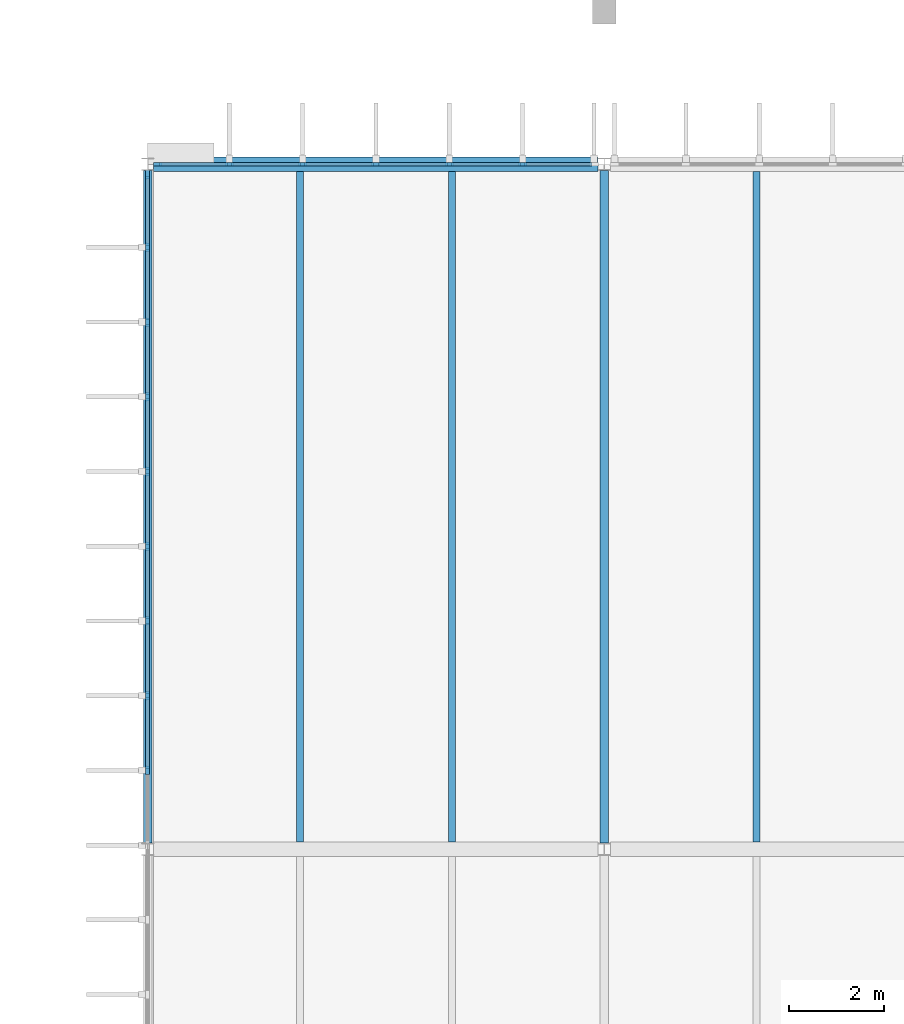
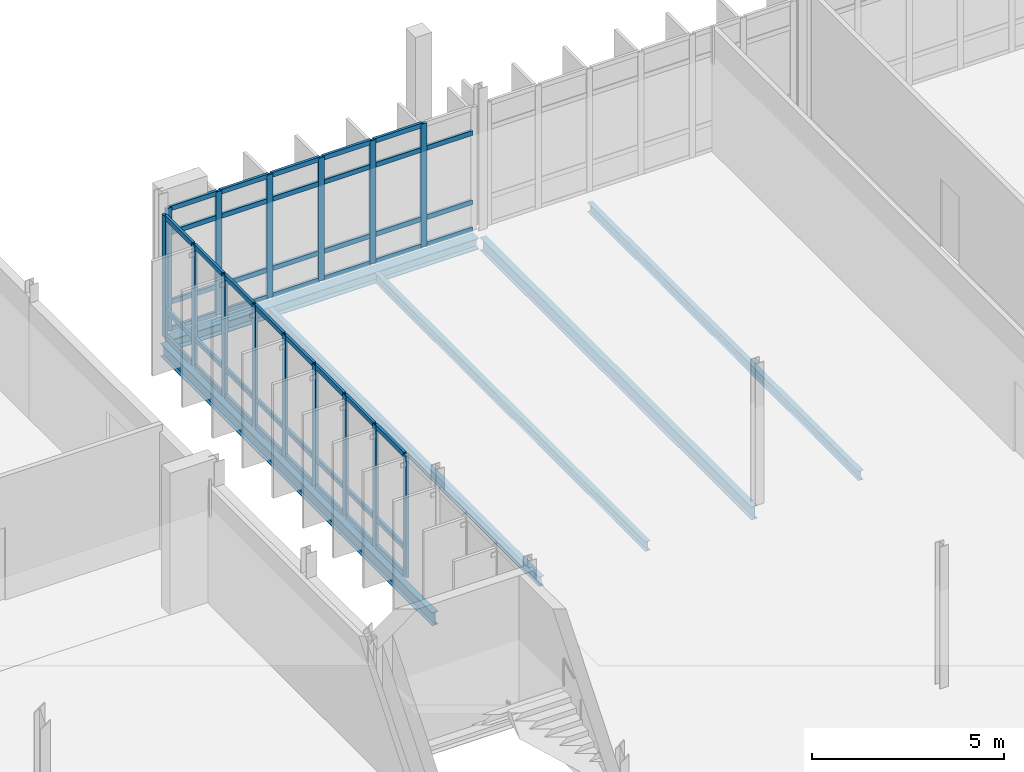
# One storey, part 43 of 107: 62 members, 6 beams, 2 elements without a shape of their own.
"""IFC4 building model written with IfcOpenShell, lengths in metres."""

from ifc_helpers import new_model, si_unit, direction, frame, origin, origin_2d, place, context, subcontext, project, spatial, rectangle, i_section, extrude, material, material_profile, profile_set, type_object, element, aggregate, save


model = new_model("IFC4")

# Units and contexts
model_context = context("Model", 3, precision=1e-05, world=origin(), true_north=direction((0.0, 1.0)))
body_context = subcontext(model_context, "Body", "Model", "MODEL_VIEW")
ifc_project = project(units=[si_unit("LENGTHUNIT", "METRE"), si_unit("AREAUNIT", "SQUARE_METRE"), si_unit("VOLUMEUNIT", "CUBIC_METRE"), si_unit("PLANEANGLEUNIT", "RADIAN"), si_unit("MASSUNIT", "GRAM", prefix="KILO")], contexts=[model_context])

# Site, building, storey
site_placement = place(None, origin())
site = spatial("IfcSite", under=ifc_project, at=site_placement, CompositionType="ELEMENT")
building_placement = place(site_placement, origin())
building = spatial("IfcBuilding", under=site, at=building_placement, Name="Dunescarp Central Library", CompositionType="ELEMENT")
storey_placement = place(building_placement, frame((0.0, 0.0, 5.10009765625)))
storey = spatial("IfcBuildingStorey", under=building, at=storey_placement, Name="L01", CompositionType="ELEMENT", Elevation=5.10009765625)

# Curtain wall, members
ifc_material_1 = material(Name="Marine-grade anodised aluminium 6063-T6", Category="aluminium")
curtain_wall_type = type_object("IfcCurtainWallType", Name="ARC-CW-STICK", PredefinedType="NOTDEFINED", material=ifc_material_1)
curtain_wall_1_placement = place(storey_placement, origin())
curtain_wall_1 = element("IfcCurtainWall", 1, at=curtain_wall_1_placement, inside=storey, type_object=curtain_wall_type, Name="L01 curtain wall CW-V5-157", PredefinedType="NOTDEFINED")
ifc_material_profile_1 = material_profile(ifc_material_1, rectangle(XDim=0.080078125, YDim=0.179931640625, at=origin_2d()), Name="AL 80x180")
ifc_profile_set_1 = profile_set([ifc_material_profile_1], Name="Marine-grade anodised aluminium 6063-T6")
member_type_1 = type_object("IfcMemberType", Name="ARC-CWM-180", PredefinedType="MULLION", material=ifc_profile_set_1)
member_1_placement = place(storey_placement, frame((129.81494140625, 44.800048828125, 0.0), z_axis=(0.0, 0.0, 1.0), x_axis=(0.0, 1.0, 0.0)))
member_1 = element("IfcMember", 2, at=member_1_placement, type_object=member_type_1, Name="CW-V5-157 mullion 1", PredefinedType="MULLION", context=body_context, shape_type="SweptSolid", body=[
    extrude(rectangle(XDim=0.080078125, YDim=0.179931640625, at=origin_2d()), origin(), (0.0, 0.0, 1.0), 3.909912109375),
])
member_2_placement = place(storey_placement, frame((131.316650390625, 44.800048828125, 0.0), z_axis=(0.0, 0.0, 1.0), x_axis=(0.0, 1.0, 0.0)))
member_2 = element("IfcMember", 3, at=member_2_placement, type_object=member_type_1, Name="CW-V5-157 mullion 2", PredefinedType="MULLION", context=body_context, shape_type="SweptSolid", body=[
    extrude(rectangle(XDim=0.080078125, YDim=0.179931640625, at=origin_2d()), origin(), (0.0, 0.0, 1.0), 3.909912109375),
])
member_3_placement = place(storey_placement, frame((132.8583984375, 44.800048828125, 0.0), z_axis=(0.0, 0.0, 1.0), x_axis=(0.0, 1.0, 0.0)))
member_3 = element("IfcMember", 4, at=member_3_placement, type_object=member_type_1, Name="CW-V5-157 mullion 3", PredefinedType="MULLION", context=body_context, shape_type="SweptSolid", body=[
    extrude(rectangle(XDim=0.080078125, YDim=0.179931640625, at=origin_2d()), origin(), (0.0, 0.0, 1.0), 3.909912109375),
])
member_4_placement = place(storey_placement, frame((134.39990234375, 44.800048828125, 0.0), z_axis=(0.0, 0.0, 1.0), x_axis=(0.0, 1.0, 0.0)))
member_4 = element("IfcMember", 5, at=member_4_placement, type_object=member_type_1, Name="CW-V5-157 mullion 4", PredefinedType="MULLION", context=body_context, shape_type="SweptSolid", body=[
    extrude(rectangle(XDim=0.080078125, YDim=0.179931640625, at=origin_2d()), origin(), (0.0, 0.0, 1.0), 3.909912109375),
])
member_5_placement = place(storey_placement, frame((135.941650390625, 44.800048828125, 0.0), z_axis=(0.0, 0.0, 1.0), x_axis=(0.0, 1.0, 0.0)))
member_5 = element("IfcMember", 6, at=member_5_placement, type_object=member_type_1, Name="CW-V5-157 mullion 5", PredefinedType="MULLION", context=body_context, shape_type="SweptSolid", body=[
    extrude(rectangle(XDim=0.080078125, YDim=0.179931640625, at=origin_2d()), origin(), (0.0, 0.0, 1.0), 3.909912109375),
])
member_6_placement = place(storey_placement, frame((137.4833984375, 44.800048828125, 0.0), z_axis=(0.0, 0.0, 1.0), x_axis=(0.0, 1.0, 0.0)))
member_6 = element("IfcMember", 7, at=member_6_placement, type_object=member_type_1, Name="CW-V5-157 mullion 6", PredefinedType="MULLION", context=body_context, shape_type="SweptSolid", body=[
    extrude(rectangle(XDim=0.080078125, YDim=0.179931640625, at=origin_2d()), origin(), (0.0, 0.0, 1.0), 3.909912109375),
])

curtain_wall_2_placement = place(storey_placement, origin())
curtain_wall_2 = element("IfcCurtainWall", 8, at=curtain_wall_2_placement, inside=storey, type_object=curtain_wall_type, Name="L01 curtain wall CW-V5-161", PredefinedType="NOTDEFINED")
member_7_placement = place(storey_placement, frame((129.60009765625, 32.058349609375, 0.0), z_axis=(0.0, 0.0, 1.0), x_axis=(-1.0, 0.0, 0.0)))
member_7 = element("IfcMember", 9, at=member_7_placement, type_object=member_type_1, Name="CW-V5-161 mullion 5", PredefinedType="MULLION", context=body_context, shape_type="SweptSolid", body=[
    extrude(rectangle(XDim=0.080078125, YDim=0.179931640625, at=origin_2d()), origin(), (0.0, 0.0, 1.0), 3.875),
])
member_8_placement = place(storey_placement, frame((129.60009765625, 33.629150390625, 0.0), z_axis=(0.0, 0.0, 1.0), x_axis=(-1.0, 0.0, 0.0)))
member_8 = element("IfcMember", 10, at=member_8_placement, type_object=member_type_1, Name="CW-V5-161 mullion 6", PredefinedType="MULLION", context=body_context, shape_type="SweptSolid", body=[
    extrude(rectangle(XDim=0.080078125, YDim=0.179931640625, at=origin_2d()), origin(), (0.0, 0.0, 1.0), 3.875),
])
member_9_placement = place(storey_placement, frame((129.60009765625, 35.199951171875, 0.0), z_axis=(0.0, 0.0, 1.0), x_axis=(-1.0, 0.0, 0.0)))
member_9 = element("IfcMember", 11, at=member_9_placement, type_object=member_type_1, Name="CW-V5-161 mullion 7", PredefinedType="MULLION", context=body_context, shape_type="SweptSolid", body=[
    extrude(rectangle(XDim=0.080078125, YDim=0.179931640625, at=origin_2d()), origin(), (0.0, 0.0, 1.0), 3.875),
])
member_10_placement = place(storey_placement, frame((129.60009765625, 36.770751953125, 0.0), z_axis=(0.0, 0.0, 1.0), x_axis=(-1.0, 0.0, 0.0)))
member_10 = element("IfcMember", 12, at=member_10_placement, type_object=member_type_1, Name="CW-V5-161 mullion 8", PredefinedType="MULLION", context=body_context, shape_type="SweptSolid", body=[
    extrude(rectangle(XDim=0.080078125, YDim=0.179931640625, at=origin_2d()), origin(), (0.0, 0.0, 1.0), 3.875),
])
member_11_placement = place(storey_placement, frame((129.60009765625, 38.341552734375, 0.0), z_axis=(0.0, 0.0, 1.0), x_axis=(-1.0, 0.0, 0.0)))
member_11 = element("IfcMember", 13, at=member_11_placement, type_object=member_type_1, Name="CW-V5-161 mullion 9", PredefinedType="MULLION", context=body_context, shape_type="SweptSolid", body=[
    extrude(rectangle(XDim=0.080078125, YDim=0.179931640625, at=origin_2d()), origin(), (0.0, 0.0, 1.0), 3.875),
])
member_12_placement = place(storey_placement, frame((129.60009765625, 39.91259765625, 0.0), z_axis=(0.0, 0.0, 1.0), x_axis=(-1.0, 0.0, 0.0)))
member_12 = element("IfcMember", 14, at=member_12_placement, type_object=member_type_1, Name="CW-V5-161 mullion 10", PredefinedType="MULLION", context=body_context, shape_type="SweptSolid", body=[
    extrude(rectangle(XDim=0.080078125, YDim=0.179931640625, at=origin_2d()), origin(), (0.0, 0.0, 1.0), 3.875),
])
member_13_placement = place(storey_placement, frame((129.60009765625, 41.4833984375, 0.0), z_axis=(0.0, 0.0, 1.0), x_axis=(-1.0, 0.0, 0.0)))
member_13 = element("IfcMember", 15, at=member_13_placement, type_object=member_type_1, Name="CW-V5-161 mullion 11", PredefinedType="MULLION", context=body_context, shape_type="SweptSolid", body=[
    extrude(rectangle(XDim=0.080078125, YDim=0.179931640625, at=origin_2d()), origin(), (0.0, 0.0, 1.0), 3.875),
])
member_14_placement = place(storey_placement, frame((129.60009765625, 43.05419921875, 0.0), z_axis=(0.0, 0.0, 1.0), x_axis=(-1.0, 0.0, 0.0)))
member_14 = element("IfcMember", 16, at=member_14_placement, type_object=member_type_1, Name="CW-V5-161 mullion 12", PredefinedType="MULLION", context=body_context, shape_type="SweptSolid", body=[
    extrude(rectangle(XDim=0.080078125, YDim=0.179931640625, at=origin_2d()), origin(), (0.0, 0.0, 1.0), 3.875),
])
member_15_placement = place(storey_placement, frame((129.60009765625, 44.5849609375, 0.0), z_axis=(0.0, 0.0, 1.0), x_axis=(-1.0, 0.0, 0.0)))
member_15 = element("IfcMember", 17, at=member_15_placement, type_object=member_type_1, Name="CW-V5-161 mullion 13", PredefinedType="MULLION", context=body_context, shape_type="SweptSolid", body=[
    extrude(rectangle(XDim=0.080078125, YDim=0.179931640625, at=origin_2d()), origin(), (0.0, 0.0, 1.0), 3.875),
])

# Member
ifc_material_profile_2 = material_profile(ifc_material_1, rectangle(XDim=0.080078125, YDim=0.14990234375, at=origin_2d()), Name="AL 80x150")
ifc_profile_set_2 = profile_set([ifc_material_profile_2], Name="Marine-grade anodised aluminium 6063-T6")
member_type_2 = type_object("IfcMemberType", Name="ARC-CWT-150", PredefinedType="USERDEFINED", material=ifc_profile_set_2)
member_16_placement = place(storey_placement, frame((129.85498046875, 44.800048828125, 0.039794921875), z_axis=(1.0, 0.0, 0.0), x_axis=(0.0, 1.0, 0.0)))
member_16 = element("IfcMember", 18, at=member_16_placement, type_object=member_type_2, Name="CW-V5-157 transom 1.1", ObjectType="TRANSOM", PredefinedType="USERDEFINED", context=body_context, shape_type="SweptSolid", body=[
    extrude(rectangle(XDim=0.080078125, YDim=0.14990234375, at=origin_2d()), origin(), (0.0, 0.0, 1.0), 1.421630859375),
])

member_17_placement = place(storey_placement, frame((129.85498046875, 44.800048828125, 0.89990234375), z_axis=(1.0, 0.0, 0.0), x_axis=(0.0, 1.0, 0.0)))
member_17 = element("IfcMember", 19, at=member_17_placement, type_object=member_type_2, Name="CW-V5-157 transom 1.2", ObjectType="TRANSOM", PredefinedType="USERDEFINED", context=body_context, shape_type="SweptSolid", body=[
    extrude(rectangle(XDim=0.080078125, YDim=0.14990234375, at=origin_2d()), origin(), (0.0, 0.0, 1.0), 1.421630859375),
])

member_18_placement = place(storey_placement, frame((129.85498046875, 44.800048828125, 3.099853515625), z_axis=(1.0, 0.0, 0.0), x_axis=(0.0, 1.0, 0.0)))
member_18 = element("IfcMember", 20, at=member_18_placement, type_object=member_type_2, Name="CW-V5-157 transom 1.3", ObjectType="TRANSOM", PredefinedType="USERDEFINED", context=body_context, shape_type="SweptSolid", body=[
    extrude(rectangle(XDim=0.080078125, YDim=0.14990234375, at=origin_2d()), origin(), (0.0, 0.0, 1.0), 1.421630859375),
])

member_19_placement = place(storey_placement, frame((129.85498046875, 44.800048828125, 3.869873046875), z_axis=(1.0, 0.0, 0.0), x_axis=(0.0, 1.0, 0.0)))
member_19 = element("IfcMember", 21, at=member_19_placement, type_object=member_type_2, Name="CW-V5-157 transom 1.4", ObjectType="TRANSOM", PredefinedType="USERDEFINED", context=body_context, shape_type="SweptSolid", body=[
    extrude(rectangle(XDim=0.080078125, YDim=0.14990234375, at=origin_2d()), origin(), (0.0, 0.0, 1.0), 1.421630859375),
])

member_20_placement = place(storey_placement, frame((131.356689453125, 44.800048828125, 0.039794921875), z_axis=(1.0, 0.0, 0.0), x_axis=(0.0, 1.0, 0.0)))
member_20 = element("IfcMember", 22, at=member_20_placement, type_object=member_type_2, Name="CW-V5-157 transom 2.1", ObjectType="TRANSOM", PredefinedType="USERDEFINED", context=body_context, shape_type="SweptSolid", body=[
    extrude(rectangle(XDim=0.080078125, YDim=0.14990234375, at=origin_2d()), origin(), (0.0, 0.0, 1.0), 1.461669921875),
])

member_21_placement = place(storey_placement, frame((131.356689453125, 44.800048828125, 0.89990234375), z_axis=(1.0, 0.0, 0.0), x_axis=(0.0, 1.0, 0.0)))
member_21 = element("IfcMember", 23, at=member_21_placement, type_object=member_type_2, Name="CW-V5-157 transom 2.2", ObjectType="TRANSOM", PredefinedType="USERDEFINED", context=body_context, shape_type="SweptSolid", body=[
    extrude(rectangle(XDim=0.080078125, YDim=0.14990234375, at=origin_2d()), origin(), (0.0, 0.0, 1.0), 1.461669921875),
])

member_22_placement = place(storey_placement, frame((131.356689453125, 44.800048828125, 3.099853515625), z_axis=(1.0, 0.0, 0.0), x_axis=(0.0, 1.0, 0.0)))
member_22 = element("IfcMember", 24, at=member_22_placement, type_object=member_type_2, Name="CW-V5-157 transom 2.3", ObjectType="TRANSOM", PredefinedType="USERDEFINED", context=body_context, shape_type="SweptSolid", body=[
    extrude(rectangle(XDim=0.080078125, YDim=0.14990234375, at=origin_2d()), origin(), (0.0, 0.0, 1.0), 1.461669921875),
])

member_23_placement = place(storey_placement, frame((131.356689453125, 44.800048828125, 3.869873046875), z_axis=(1.0, 0.0, 0.0), x_axis=(0.0, 1.0, 0.0)))
member_23 = element("IfcMember", 25, at=member_23_placement, type_object=member_type_2, Name="CW-V5-157 transom 2.4", ObjectType="TRANSOM", PredefinedType="USERDEFINED", context=body_context, shape_type="SweptSolid", body=[
    extrude(rectangle(XDim=0.080078125, YDim=0.14990234375, at=origin_2d()), origin(), (0.0, 0.0, 1.0), 1.461669921875),
])

member_24_placement = place(storey_placement, frame((132.8984375, 44.800048828125, 0.039794921875), z_axis=(1.0, 0.0, 0.0), x_axis=(0.0, 1.0, 0.0)))
member_24 = element("IfcMember", 26, at=member_24_placement, type_object=member_type_2, Name="CW-V5-157 transom 3.1", ObjectType="TRANSOM", PredefinedType="USERDEFINED", context=body_context, shape_type="SweptSolid", body=[
    extrude(rectangle(XDim=0.080078125, YDim=0.14990234375, at=origin_2d()), origin(), (0.0, 0.0, 1.0), 1.461669921875),
])

member_25_placement = place(storey_placement, frame((132.8984375, 44.800048828125, 0.89990234375), z_axis=(1.0, 0.0, 0.0), x_axis=(0.0, 1.0, 0.0)))
member_25 = element("IfcMember", 27, at=member_25_placement, type_object=member_type_2, Name="CW-V5-157 transom 3.2", ObjectType="TRANSOM", PredefinedType="USERDEFINED", context=body_context, shape_type="SweptSolid", body=[
    extrude(rectangle(XDim=0.080078125, YDim=0.14990234375, at=origin_2d()), origin(), (0.0, 0.0, 1.0), 1.461669921875),
])

member_26_placement = place(storey_placement, frame((132.8984375, 44.800048828125, 3.099853515625), z_axis=(1.0, 0.0, 0.0), x_axis=(0.0, 1.0, 0.0)))
member_26 = element("IfcMember", 28, at=member_26_placement, type_object=member_type_2, Name="CW-V5-157 transom 3.3", ObjectType="TRANSOM", PredefinedType="USERDEFINED", context=body_context, shape_type="SweptSolid", body=[
    extrude(rectangle(XDim=0.080078125, YDim=0.14990234375, at=origin_2d()), origin(), (0.0, 0.0, 1.0), 1.461669921875),
])

member_27_placement = place(storey_placement, frame((132.8984375, 44.800048828125, 3.869873046875), z_axis=(1.0, 0.0, 0.0), x_axis=(0.0, 1.0, 0.0)))
member_27 = element("IfcMember", 29, at=member_27_placement, type_object=member_type_2, Name="CW-V5-157 transom 3.4", ObjectType="TRANSOM", PredefinedType="USERDEFINED", context=body_context, shape_type="SweptSolid", body=[
    extrude(rectangle(XDim=0.080078125, YDim=0.14990234375, at=origin_2d()), origin(), (0.0, 0.0, 1.0), 1.461669921875),
])

member_28_placement = place(storey_placement, frame((134.43994140625, 44.800048828125, 0.039794921875), z_axis=(1.0, 0.0, 0.0), x_axis=(0.0, 1.0, 0.0)))
member_28 = element("IfcMember", 30, at=member_28_placement, type_object=member_type_2, Name="CW-V5-157 transom 4.1", ObjectType="TRANSOM", PredefinedType="USERDEFINED", context=body_context, shape_type="SweptSolid", body=[
    extrude(rectangle(XDim=0.080078125, YDim=0.14990234375, at=origin_2d()), origin(), (0.0, 0.0, 1.0), 1.461669921875),
])

member_29_placement = place(storey_placement, frame((134.43994140625, 44.800048828125, 0.89990234375), z_axis=(1.0, 0.0, 0.0), x_axis=(0.0, 1.0, 0.0)))
member_29 = element("IfcMember", 31, at=member_29_placement, type_object=member_type_2, Name="CW-V5-157 transom 4.2", ObjectType="TRANSOM", PredefinedType="USERDEFINED", context=body_context, shape_type="SweptSolid", body=[
    extrude(rectangle(XDim=0.080078125, YDim=0.14990234375, at=origin_2d()), origin(), (0.0, 0.0, 1.0), 1.461669921875),
])

member_30_placement = place(storey_placement, frame((134.43994140625, 44.800048828125, 3.099853515625), z_axis=(1.0, 0.0, 0.0), x_axis=(0.0, 1.0, 0.0)))
member_30 = element("IfcMember", 32, at=member_30_placement, type_object=member_type_2, Name="CW-V5-157 transom 4.3", ObjectType="TRANSOM", PredefinedType="USERDEFINED", context=body_context, shape_type="SweptSolid", body=[
    extrude(rectangle(XDim=0.080078125, YDim=0.14990234375, at=origin_2d()), origin(), (0.0, 0.0, 1.0), 1.461669921875),
])

member_31_placement = place(storey_placement, frame((134.43994140625, 44.800048828125, 3.869873046875), z_axis=(1.0, 0.0, 0.0), x_axis=(0.0, 1.0, 0.0)))
member_31 = element("IfcMember", 33, at=member_31_placement, type_object=member_type_2, Name="CW-V5-157 transom 4.4", ObjectType="TRANSOM", PredefinedType="USERDEFINED", context=body_context, shape_type="SweptSolid", body=[
    extrude(rectangle(XDim=0.080078125, YDim=0.14990234375, at=origin_2d()), origin(), (0.0, 0.0, 1.0), 1.461669921875),
])

member_32_placement = place(storey_placement, frame((135.981689453125, 44.800048828125, 0.039794921875), z_axis=(1.0, 0.0, 0.0), x_axis=(0.0, 1.0, 0.0)))
member_32 = element("IfcMember", 34, at=member_32_placement, type_object=member_type_2, Name="CW-V5-157 transom 5.1", ObjectType="TRANSOM", PredefinedType="USERDEFINED", context=body_context, shape_type="SweptSolid", body=[
    extrude(rectangle(XDim=0.080078125, YDim=0.14990234375, at=origin_2d()), origin(), (0.0, 0.0, 1.0), 1.461669921875),
])

member_33_placement = place(storey_placement, frame((135.981689453125, 44.800048828125, 0.89990234375), z_axis=(1.0, 0.0, 0.0), x_axis=(0.0, 1.0, 0.0)))
member_33 = element("IfcMember", 35, at=member_33_placement, type_object=member_type_2, Name="CW-V5-157 transom 5.2", ObjectType="TRANSOM", PredefinedType="USERDEFINED", context=body_context, shape_type="SweptSolid", body=[
    extrude(rectangle(XDim=0.080078125, YDim=0.14990234375, at=origin_2d()), origin(), (0.0, 0.0, 1.0), 1.461669921875),
])

member_34_placement = place(storey_placement, frame((135.981689453125, 44.800048828125, 3.099853515625), z_axis=(1.0, 0.0, 0.0), x_axis=(0.0, 1.0, 0.0)))
member_34 = element("IfcMember", 36, at=member_34_placement, type_object=member_type_2, Name="CW-V5-157 transom 5.3", ObjectType="TRANSOM", PredefinedType="USERDEFINED", context=body_context, shape_type="SweptSolid", body=[
    extrude(rectangle(XDim=0.080078125, YDim=0.14990234375, at=origin_2d()), origin(), (0.0, 0.0, 1.0), 1.461669921875),
])

member_35_placement = place(storey_placement, frame((135.981689453125, 44.800048828125, 3.869873046875), z_axis=(1.0, 0.0, 0.0), x_axis=(0.0, 1.0, 0.0)))
member_35 = element("IfcMember", 37, at=member_35_placement, type_object=member_type_2, Name="CW-V5-157 transom 5.4", ObjectType="TRANSOM", PredefinedType="USERDEFINED", context=body_context, shape_type="SweptSolid", body=[
    extrude(rectangle(XDim=0.080078125, YDim=0.14990234375, at=origin_2d()), origin(), (0.0, 0.0, 1.0), 1.461669921875),
])

member_36_placement = place(storey_placement, frame((137.5234375, 44.800048828125, 0.039794921875), z_axis=(1.0, 0.0, 0.0), x_axis=(0.0, 1.0, 0.0)))
member_36 = element("IfcMember", 38, at=member_36_placement, type_object=member_type_2, Name="CW-V5-157 transom 6.1", ObjectType="TRANSOM", PredefinedType="USERDEFINED", context=body_context, shape_type="SweptSolid", body=[
    extrude(rectangle(XDim=0.080078125, YDim=0.14990234375, at=origin_2d()), origin(), (0.0, 0.0, 1.0), 1.421630859375),
])

member_37_placement = place(storey_placement, frame((137.5234375, 44.800048828125, 0.89990234375), z_axis=(1.0, 0.0, 0.0), x_axis=(0.0, 1.0, 0.0)))
member_37 = element("IfcMember", 39, at=member_37_placement, type_object=member_type_2, Name="CW-V5-157 transom 6.2", ObjectType="TRANSOM", PredefinedType="USERDEFINED", context=body_context, shape_type="SweptSolid", body=[
    extrude(rectangle(XDim=0.080078125, YDim=0.14990234375, at=origin_2d()), origin(), (0.0, 0.0, 1.0), 1.421630859375),
])

member_38_placement = place(storey_placement, frame((137.5234375, 44.800048828125, 3.099853515625), z_axis=(1.0, 0.0, 0.0), x_axis=(0.0, 1.0, 0.0)))
member_38 = element("IfcMember", 40, at=member_38_placement, type_object=member_type_2, Name="CW-V5-157 transom 6.3", ObjectType="TRANSOM", PredefinedType="USERDEFINED", context=body_context, shape_type="SweptSolid", body=[
    extrude(rectangle(XDim=0.080078125, YDim=0.14990234375, at=origin_2d()), origin(), (0.0, 0.0, 1.0), 1.421630859375),
])

aggregate(curtain_wall_1, [member_1, member_2, member_3, member_4, member_5, member_6, member_16, member_17, member_18, member_19, member_20, member_21, member_22, member_23, member_24, member_25, member_26, member_27, member_28, member_29, member_30, member_31, member_32, member_33, member_34, member_35, member_36, member_37, member_38])

member_39_placement = place(storey_placement, frame((129.60009765625, 32.098388671875, 0.039794921875), z_axis=(0.0, 1.0, 0.0), x_axis=(-1.0, 0.0, 0.0)))
member_39 = element("IfcMember", 41, at=member_39_placement, type_object=member_type_2, Name="CW-V5-161 transom 5.1", ObjectType="TRANSOM", PredefinedType="USERDEFINED", context=body_context, shape_type="SweptSolid", body=[
    extrude(rectangle(XDim=0.080078125, YDim=0.14990234375, at=origin_2d()), origin(), (0.0, 0.0, 1.0), 1.49072265625),
])

member_40_placement = place(storey_placement, frame((129.60009765625, 32.098388671875, 0.89990234375), z_axis=(0.0, 1.0, 0.0), x_axis=(-1.0, 0.0, 0.0)))
member_40 = element("IfcMember", 42, at=member_40_placement, type_object=member_type_2, Name="CW-V5-161 transom 5.2", ObjectType="TRANSOM", PredefinedType="USERDEFINED", context=body_context, shape_type="SweptSolid", body=[
    extrude(rectangle(XDim=0.080078125, YDim=0.14990234375, at=origin_2d()), origin(), (0.0, 0.0, 1.0), 1.49072265625),
])

member_41_placement = place(storey_placement, frame((129.60009765625, 32.098388671875, 3.8349609375), z_axis=(0.0, 1.0, 0.0), x_axis=(-1.0, 0.0, 0.0)))
member_41 = element("IfcMember", 43, at=member_41_placement, type_object=member_type_2, Name="CW-V5-161 transom 5.3", ObjectType="TRANSOM", PredefinedType="USERDEFINED", context=body_context, shape_type="SweptSolid", body=[
    extrude(rectangle(XDim=0.080078125, YDim=0.14990234375, at=origin_2d()), origin(), (0.0, 0.0, 1.0), 1.49072265625),
])

member_42_placement = place(storey_placement, frame((129.60009765625, 33.669189453125, 0.039794921875), z_axis=(0.0, 1.0, 0.0), x_axis=(-1.0, 0.0, 0.0)))
member_42 = element("IfcMember", 44, at=member_42_placement, type_object=member_type_2, Name="CW-V5-161 transom 6.1", ObjectType="TRANSOM", PredefinedType="USERDEFINED", context=body_context, shape_type="SweptSolid", body=[
    extrude(rectangle(XDim=0.080078125, YDim=0.14990234375, at=origin_2d()), origin(), (0.0, 0.0, 1.0), 1.49072265625),
])

member_43_placement = place(storey_placement, frame((129.60009765625, 33.669189453125, 0.89990234375), z_axis=(0.0, 1.0, 0.0), x_axis=(-1.0, 0.0, 0.0)))
member_43 = element("IfcMember", 45, at=member_43_placement, type_object=member_type_2, Name="CW-V5-161 transom 6.2", ObjectType="TRANSOM", PredefinedType="USERDEFINED", context=body_context, shape_type="SweptSolid", body=[
    extrude(rectangle(XDim=0.080078125, YDim=0.14990234375, at=origin_2d()), origin(), (0.0, 0.0, 1.0), 1.49072265625),
])

member_44_placement = place(storey_placement, frame((129.60009765625, 33.669189453125, 3.8349609375), z_axis=(0.0, 1.0, 0.0), x_axis=(-1.0, 0.0, 0.0)))
member_44 = element("IfcMember", 46, at=member_44_placement, type_object=member_type_2, Name="CW-V5-161 transom 6.3", ObjectType="TRANSOM", PredefinedType="USERDEFINED", context=body_context, shape_type="SweptSolid", body=[
    extrude(rectangle(XDim=0.080078125, YDim=0.14990234375, at=origin_2d()), origin(), (0.0, 0.0, 1.0), 1.49072265625),
])

member_45_placement = place(storey_placement, frame((129.60009765625, 35.239990234375, 0.039794921875), z_axis=(0.0, 1.0, 0.0), x_axis=(-1.0, 0.0, 0.0)))
member_45 = element("IfcMember", 47, at=member_45_placement, type_object=member_type_2, Name="CW-V5-161 transom 7.1", ObjectType="TRANSOM", PredefinedType="USERDEFINED", context=body_context, shape_type="SweptSolid", body=[
    extrude(rectangle(XDim=0.080078125, YDim=0.14990234375, at=origin_2d()), origin(), (0.0, 0.0, 1.0), 1.49072265625),
])

member_46_placement = place(storey_placement, frame((129.60009765625, 35.239990234375, 0.89990234375), z_axis=(0.0, 1.0, 0.0), x_axis=(-1.0, 0.0, 0.0)))
member_46 = element("IfcMember", 48, at=member_46_placement, type_object=member_type_2, Name="CW-V5-161 transom 7.2", ObjectType="TRANSOM", PredefinedType="USERDEFINED", context=body_context, shape_type="SweptSolid", body=[
    extrude(rectangle(XDim=0.080078125, YDim=0.14990234375, at=origin_2d()), origin(), (0.0, 0.0, 1.0), 1.49072265625),
])

member_47_placement = place(storey_placement, frame((129.60009765625, 35.239990234375, 3.8349609375), z_axis=(0.0, 1.0, 0.0), x_axis=(-1.0, 0.0, 0.0)))
member_47 = element("IfcMember", 49, at=member_47_placement, type_object=member_type_2, Name="CW-V5-161 transom 7.3", ObjectType="TRANSOM", PredefinedType="USERDEFINED", context=body_context, shape_type="SweptSolid", body=[
    extrude(rectangle(XDim=0.080078125, YDim=0.14990234375, at=origin_2d()), origin(), (0.0, 0.0, 1.0), 1.49072265625),
])

member_48_placement = place(storey_placement, frame((129.60009765625, 36.810791015625, 0.039794921875), z_axis=(0.0, 1.0, 0.0), x_axis=(-1.0, 0.0, 0.0)))
member_48 = element("IfcMember", 50, at=member_48_placement, type_object=member_type_2, Name="CW-V5-161 transom 8.1", ObjectType="TRANSOM", PredefinedType="USERDEFINED", context=body_context, shape_type="SweptSolid", body=[
    extrude(rectangle(XDim=0.080078125, YDim=0.14990234375, at=origin_2d()), origin(), (0.0, 0.0, 1.0), 1.490966796875),
])

member_49_placement = place(storey_placement, frame((129.60009765625, 36.810791015625, 0.89990234375), z_axis=(0.0, 1.0, 0.0), x_axis=(-1.0, 0.0, 0.0)))
member_49 = element("IfcMember", 51, at=member_49_placement, type_object=member_type_2, Name="CW-V5-161 transom 8.2", ObjectType="TRANSOM", PredefinedType="USERDEFINED", context=body_context, shape_type="SweptSolid", body=[
    extrude(rectangle(XDim=0.080078125, YDim=0.14990234375, at=origin_2d()), origin(), (0.0, 0.0, 1.0), 1.490966796875),
])

member_50_placement = place(storey_placement, frame((129.60009765625, 36.810791015625, 3.8349609375), z_axis=(0.0, 1.0, 0.0), x_axis=(-1.0, 0.0, 0.0)))
member_50 = element("IfcMember", 52, at=member_50_placement, type_object=member_type_2, Name="CW-V5-161 transom 8.3", ObjectType="TRANSOM", PredefinedType="USERDEFINED", context=body_context, shape_type="SweptSolid", body=[
    extrude(rectangle(XDim=0.080078125, YDim=0.14990234375, at=origin_2d()), origin(), (0.0, 0.0, 1.0), 1.490966796875),
])

member_51_placement = place(storey_placement, frame((129.60009765625, 38.381591796875, 0.039794921875), z_axis=(0.0, 1.0, 0.0), x_axis=(-1.0, 0.0, 0.0)))
member_51 = element("IfcMember", 53, at=member_51_placement, type_object=member_type_2, Name="CW-V5-161 transom 9.1", ObjectType="TRANSOM", PredefinedType="USERDEFINED", context=body_context, shape_type="SweptSolid", body=[
    extrude(rectangle(XDim=0.080078125, YDim=0.14990234375, at=origin_2d()), origin(), (0.0, 0.0, 1.0), 1.490966796875),
])

member_52_placement = place(storey_placement, frame((129.60009765625, 38.381591796875, 0.89990234375), z_axis=(0.0, 1.0, 0.0), x_axis=(-1.0, 0.0, 0.0)))
member_52 = element("IfcMember", 54, at=member_52_placement, type_object=member_type_2, Name="CW-V5-161 transom 9.2", ObjectType="TRANSOM", PredefinedType="USERDEFINED", context=body_context, shape_type="SweptSolid", body=[
    extrude(rectangle(XDim=0.080078125, YDim=0.14990234375, at=origin_2d()), origin(), (0.0, 0.0, 1.0), 1.490966796875),
])

member_53_placement = place(storey_placement, frame((129.60009765625, 38.381591796875, 3.8349609375), z_axis=(0.0, 1.0, 0.0), x_axis=(-1.0, 0.0, 0.0)))
member_53 = element("IfcMember", 55, at=member_53_placement, type_object=member_type_2, Name="CW-V5-161 transom 9.3", ObjectType="TRANSOM", PredefinedType="USERDEFINED", context=body_context, shape_type="SweptSolid", body=[
    extrude(rectangle(XDim=0.080078125, YDim=0.14990234375, at=origin_2d()), origin(), (0.0, 0.0, 1.0), 1.490966796875),
])

member_54_placement = place(storey_placement, frame((129.60009765625, 39.952392578125, 0.039794921875), z_axis=(0.0, 1.0, 0.0), x_axis=(-1.0, 0.0, 0.0)))
member_54 = element("IfcMember", 56, at=member_54_placement, type_object=member_type_2, Name="CW-V5-161 transom 10.1", ObjectType="TRANSOM", PredefinedType="USERDEFINED", context=body_context, shape_type="SweptSolid", body=[
    extrude(rectangle(XDim=0.080078125, YDim=0.14990234375, at=origin_2d()), origin(), (0.0, 0.0, 1.0), 1.490966796875),
])

member_55_placement = place(storey_placement, frame((129.60009765625, 39.952392578125, 0.89990234375), z_axis=(0.0, 1.0, 0.0), x_axis=(-1.0, 0.0, 0.0)))
member_55 = element("IfcMember", 57, at=member_55_placement, type_object=member_type_2, Name="CW-V5-161 transom 10.2", ObjectType="TRANSOM", PredefinedType="USERDEFINED", context=body_context, shape_type="SweptSolid", body=[
    extrude(rectangle(XDim=0.080078125, YDim=0.14990234375, at=origin_2d()), origin(), (0.0, 0.0, 1.0), 1.490966796875),
])

member_56_placement = place(storey_placement, frame((129.60009765625, 39.952392578125, 3.8349609375), z_axis=(0.0, 1.0, 0.0), x_axis=(-1.0, 0.0, 0.0)))
member_56 = element("IfcMember", 58, at=member_56_placement, type_object=member_type_2, Name="CW-V5-161 transom 10.3", ObjectType="TRANSOM", PredefinedType="USERDEFINED", context=body_context, shape_type="SweptSolid", body=[
    extrude(rectangle(XDim=0.080078125, YDim=0.14990234375, at=origin_2d()), origin(), (0.0, 0.0, 1.0), 1.490966796875),
])

member_57_placement = place(storey_placement, frame((129.60009765625, 41.5234375, 0.039794921875), z_axis=(0.0, 1.0, 0.0), x_axis=(-1.0, 0.0, 0.0)))
member_57 = element("IfcMember", 59, at=member_57_placement, type_object=member_type_2, Name="CW-V5-161 transom 11.1", ObjectType="TRANSOM", PredefinedType="USERDEFINED", context=body_context, shape_type="SweptSolid", body=[
    extrude(rectangle(XDim=0.080078125, YDim=0.14990234375, at=origin_2d()), origin(), (0.0, 0.0, 1.0), 1.49072265625),
])

member_58_placement = place(storey_placement, frame((129.60009765625, 41.5234375, 0.89990234375), z_axis=(0.0, 1.0, 0.0), x_axis=(-1.0, 0.0, 0.0)))
member_58 = element("IfcMember", 60, at=member_58_placement, type_object=member_type_2, Name="CW-V5-161 transom 11.2", ObjectType="TRANSOM", PredefinedType="USERDEFINED", context=body_context, shape_type="SweptSolid", body=[
    extrude(rectangle(XDim=0.080078125, YDim=0.14990234375, at=origin_2d()), origin(), (0.0, 0.0, 1.0), 1.49072265625),
])

member_59_placement = place(storey_placement, frame((129.60009765625, 41.5234375, 3.8349609375), z_axis=(0.0, 1.0, 0.0), x_axis=(-1.0, 0.0, 0.0)))
member_59 = element("IfcMember", 61, at=member_59_placement, type_object=member_type_2, Name="CW-V5-161 transom 11.3", ObjectType="TRANSOM", PredefinedType="USERDEFINED", context=body_context, shape_type="SweptSolid", body=[
    extrude(rectangle(XDim=0.080078125, YDim=0.14990234375, at=origin_2d()), origin(), (0.0, 0.0, 1.0), 1.49072265625),
])

member_60_placement = place(storey_placement, frame((129.60009765625, 43.09423828125, 0.039794921875), z_axis=(0.0, 1.0, 0.0), x_axis=(-1.0, 0.0, 0.0)))
member_60 = element("IfcMember", 62, at=member_60_placement, type_object=member_type_2, Name="CW-V5-161 transom 12.1", ObjectType="TRANSOM", PredefinedType="USERDEFINED", context=body_context, shape_type="SweptSolid", body=[
    extrude(rectangle(XDim=0.080078125, YDim=0.14990234375, at=origin_2d()), origin(), (0.0, 0.0, 1.0), 1.45068359375),
])

member_61_placement = place(storey_placement, frame((129.60009765625, 43.09423828125, 0.89990234375), z_axis=(0.0, 1.0, 0.0), x_axis=(-1.0, 0.0, 0.0)))
member_61 = element("IfcMember", 63, at=member_61_placement, type_object=member_type_2, Name="CW-V5-161 transom 12.2", ObjectType="TRANSOM", PredefinedType="USERDEFINED", context=body_context, shape_type="SweptSolid", body=[
    extrude(rectangle(XDim=0.080078125, YDim=0.14990234375, at=origin_2d()), origin(), (0.0, 0.0, 1.0), 1.45068359375),
])

member_62_placement = place(storey_placement, frame((129.60009765625, 43.09423828125, 3.8349609375), z_axis=(0.0, 1.0, 0.0), x_axis=(-1.0, 0.0, 0.0)))
member_62 = element("IfcMember", 64, at=member_62_placement, type_object=member_type_2, Name="CW-V5-161 transom 12.3", ObjectType="TRANSOM", PredefinedType="USERDEFINED", context=body_context, shape_type="SweptSolid", body=[
    extrude(rectangle(XDim=0.080078125, YDim=0.14990234375, at=origin_2d()), origin(), (0.0, 0.0, 1.0), 1.45068359375),
])

aggregate(curtain_wall_2, [member_7, member_8, member_9, member_10, member_11, member_12, member_13, member_14, member_15, member_39, member_40, member_41, member_42, member_43, member_44, member_45, member_46, member_47, member_48, member_49, member_50, member_51, member_52, member_53, member_54, member_55, member_56, member_57, member_58, member_59, member_60, member_61, member_62])

# Beams
ifc_material_2 = material(Name="Steel S355JR", Category="steel")
ifc_material_profile_3 = material_profile(ifc_material_2, i_section(OverallWidth=0.300048828125, OverallDepth=0.35009765625, WebThickness=0.010009765625, FlangeThickness=0.017578125, at=origin_2d()), Name="HEA 360")
ifc_profile_set_3 = profile_set([ifc_material_profile_3], Name="Steel S355JR")
beam_type_1 = type_object("IfcBeamType", Name="STR-BM-IPE400", PredefinedType="BEAM", material=ifc_profile_set_3)
beam_placement = place(storey_placement, frame((129.72802734375, 44.800048828125, -0.39501953125), z_axis=(1.0, 0.0, 0.0), x_axis=(0.0, 1.0, 0.0)))
element("IfcBeam", 65, at=beam_placement, inside=storey, type_object=beam_type_1, Name="L01 girder BM-L01-1087", PredefinedType="BEAM", context=body_context, shape_type="SweptSolid", body=[
    extrude(i_section(OverallWidth=0.300048828125, OverallDepth=0.35009765625, WebThickness=0.010009765625, FlangeThickness=0.017578125, at=origin_2d()), origin(), (0.0, 0.0, 1.0), 9.343994140625),
])
ifc_material_profile_4 = material_profile(ifc_material_2, i_section(OverallWidth=0.179443359375, OverallDepth=0.412841796875, WebThickness=0.009521484375, FlangeThickness=0.01611328125, at=origin_2d()), Name="UB 406x178x74")
ifc_profile_set_4 = profile_set([ifc_material_profile_4], Name="Steel S355JR")
beam_type_2 = type_object("IfcBeamType", Name="STR-BM-UB406", PredefinedType="BEAM", material=ifc_profile_set_4)
for number, where, z_axis, x_axis, name in (
    (66, (129.60009765625, 30.534912109375, -0.426025390625), (0.0, 1.0, 0.0), (-1.0, 0.0, 0.0), "L01 girder BM-L01-1088"),
    (67, (139.199951171875, 30.534912109375, -0.426025390625), (0.0, 1.0, 0.0), (-1.0, 0.0, 0.0), "L01 girder BM-L01-1089"),
):
    element("IfcBeam", number, at=place(storey_placement, frame(where, z_axis=z_axis, x_axis=x_axis)), inside=storey, type_object=beam_type_2, Name=name, PredefinedType="BEAM", context=body_context, shape_type="SweptSolid", body=[
        extrude(i_section(OverallWidth=0.179443359375, OverallDepth=0.412841796875, WebThickness=0.009521484375, FlangeThickness=0.01611328125, at=origin_2d()), origin(), (0.0, 0.0, 1.0), 14.130126953125),
    ])
ifc_material_profile_5 = material_profile(ifc_material_2, i_section(OverallWidth=0.14990234375, OverallDepth=0.300048828125, WebThickness=0.007080078125, FlangeThickness=0.0107421875, at=origin_2d()), Name="IPE 300")
ifc_profile_set_5 = profile_set([ifc_material_profile_5], Name="Steel S355JR")
beam_type_3 = type_object("IfcBeamType", Name="STR-JS-IPE300", PredefinedType="JOIST", material=ifc_profile_set_5)
for number, where, z_axis, x_axis, name in (
    (68, (132.800048828125, 30.548095703125, -0.3701171875), (0.0, 1.0, 0.0), (-1.0, 0.0, 0.0), "L01 joist JS-L01-1090"),
    (69, (136.0, 30.548095703125, -0.3701171875), (0.0, 1.0, 0.0), (-1.0, 0.0, 0.0), "L01 joist JS-L01-1091"),
    (70, (142.39990234375, 30.548095703125, -0.3701171875), (0.0, 1.0, 0.0), (-1.0, 0.0, 0.0), "L01 joist JS-L01-1107"),
):
    element("IfcBeam", number, at=place(storey_placement, frame(where, z_axis=z_axis, x_axis=x_axis)), inside=storey, type_object=beam_type_3, Name=name, PredefinedType="JOIST", context=body_context, shape_type="SweptSolid", body=[
        extrude(i_section(OverallWidth=0.14990234375, OverallDepth=0.300048828125, WebThickness=0.007080078125, FlangeThickness=0.0107421875, at=origin_2d()), origin(), (0.0, 0.0, 1.0), 14.10400390625),
    ])

save(model, "model.ifc")
